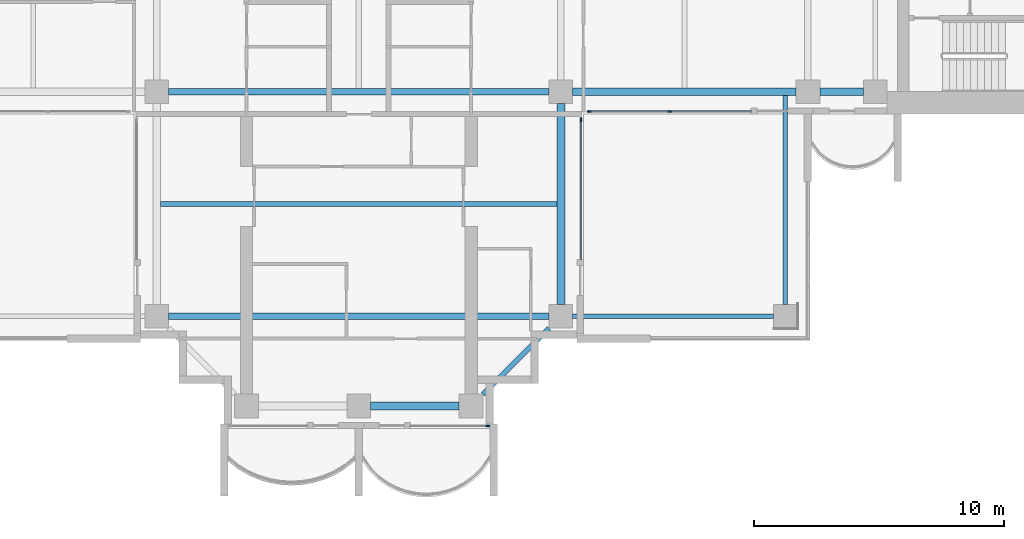
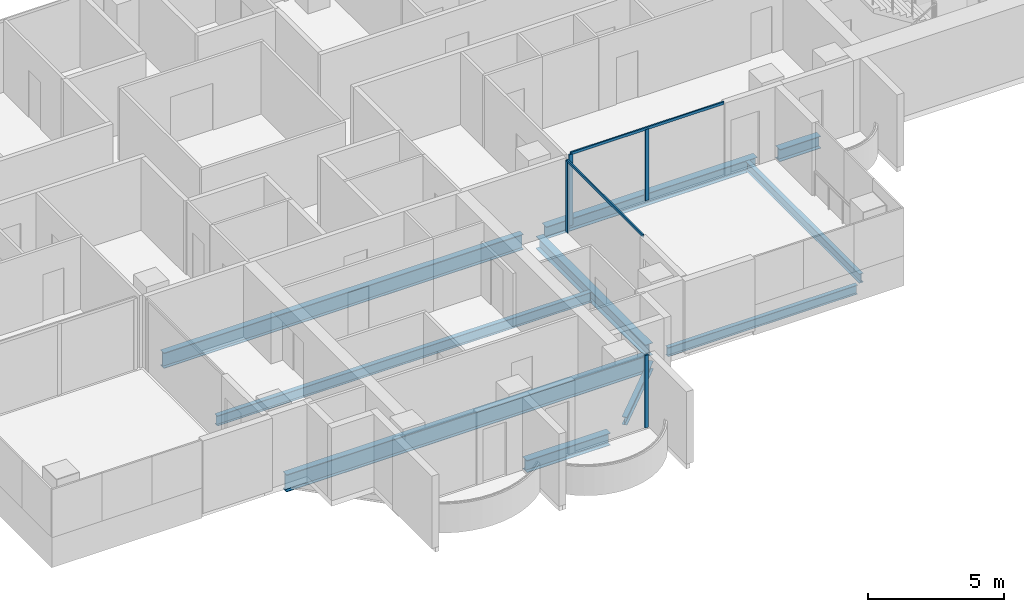
# One storey, part 3 of 17: 10 beams, 6 members, 3 elements without a shape of their own.
"""IFC4 building model written with IfcOpenShell, lengths in metres."""

from ifc_helpers import new_model, si_unit, direction, frame, origin, origin_2d, place, context, subcontext, project, spatial, rectangle, i_section, extrude, material, material_profile, profile_set, type_object, element, aggregate, save


model = new_model("IFC4")

# Units and contexts
model_context = context("Model", 3, precision=1e-05, world=origin(), true_north=direction((0.0, 1.0)))
body_context = subcontext(model_context, "Body", "Model", "MODEL_VIEW")
ifc_project = project(units=[si_unit("LENGTHUNIT", "METRE"), si_unit("AREAUNIT", "SQUARE_METRE"), si_unit("VOLUMEUNIT", "CUBIC_METRE"), si_unit("PLANEANGLEUNIT", "RADIAN"), si_unit("MASSUNIT", "GRAM", prefix="KILO")], contexts=[model_context])

# Site, building, storey
site_placement = place(None, origin())
site = spatial("IfcSite", under=ifc_project, at=site_placement, CompositionType="ELEMENT")
building_placement = place(site_placement, origin())
building = spatial("IfcBuilding", under=site, at=building_placement, Name="Perihelion Cross Residences", CompositionType="ELEMENT")
storey_placement = place(building_placement, frame((0.0, 0.0, 191.10009765625)))
storey = spatial("IfcBuildingStorey", under=building, at=storey_placement, Name="L47", CompositionType="ELEMENT", Elevation=191.10009765625)

# Curtain wall, member
ifc_material_1 = material(Name="Bronze anodised aluminium, tinted glazing", Category="aluminium")
curtain_wall_type = type_object("IfcCurtainWallType", Name="CW1", PredefinedType="NOTDEFINED", material=ifc_material_1)
curtain_wall_1_placement = place(storey_placement, origin())
curtain_wall_1 = element("IfcCurtainWall", 1, at=curtain_wall_1_placement, inside=storey, type_object=curtain_wall_type, Name="Curtain wall CW1 L47 south tip south bay 2", PredefinedType="NOTDEFINED")
ifc_material_2 = material(Name="Bronze anodised aluminium", Category="aluminium")
ifc_material_profile_1 = material_profile(ifc_material_2, rectangle(XDim=0.06005859375, YDim=0.159912109375, at=origin_2d()), Name="CW1 mullion")
ifc_profile_set_1 = profile_set([ifc_material_profile_1], Name="Bronze anodised aluminium")
member_type_1 = type_object("IfcMemberType", Name="CW1 mullion", PredefinedType="MULLION", material=ifc_profile_set_1)
member_1_placement = place(storey_placement, frame((5.169921875, -21.5, 0.0), z_axis=(0.0, 0.0, 1.0), x_axis=(0.0, 1.0, 0.0)))
member_1 = element("IfcMember", 2, at=member_1_placement, type_object=member_type_1, Name="CW1 mullion 2", PredefinedType="MULLION", context=body_context, shape_type="SweptSolid", body=[
    extrude(rectangle(XDim=0.06005859375, YDim=0.159912109375, at=origin_2d()), origin(), (0.0, 0.0, 1.0), 3.25),
])
aggregate(curtain_wall_1, [member_1])

curtain_wall_2_placement = place(storey_placement, origin())
curtain_wall_2 = element("IfcCurtainWall", 3, at=curtain_wall_2_placement, inside=storey, type_object=curtain_wall_type, Name="Curtain wall CW1 L47 south side east bay 1", PredefinedType="NOTDEFINED")
member_2_placement = place(storey_placement, frame((8.89990234375, -9.22998046875, 0.0), z_axis=(0.0, 0.0, 1.0), x_axis=(-1.0, 0.0, 0.0)))
member_2 = element("IfcMember", 4, at=member_2_placement, type_object=member_type_1, Name="CW1 mullion 2", PredefinedType="MULLION", context=body_context, shape_type="SweptSolid", body=[
    extrude(rectangle(XDim=0.06005859375, YDim=0.159912109375, at=origin_2d()), origin(), (0.0, 0.0, 1.0), 3.18994140625),
])

# Curtain wall, members
curtain_wall_3_placement = place(storey_placement, origin())
curtain_wall_3 = element("IfcCurtainWall", 5, at=curtain_wall_3_placement, inside=storey, type_object=curtain_wall_type, Name="Curtain wall CW1 L47 east side south bay 1", PredefinedType="NOTDEFINED")
member_3_placement = place(storey_placement, frame((9.22998046875, -8.89990234375, 0.0), z_axis=(0.0, 0.0, 1.0), x_axis=(0.0, 1.0, 0.0)))
member_3 = element("IfcMember", 6, at=member_3_placement, type_object=member_type_1, Name="CW1 mullion 1", PredefinedType="MULLION", context=body_context, shape_type="SweptSolid", body=[
    extrude(rectangle(XDim=0.06005859375, YDim=0.159912109375, at=origin_2d()), origin(), (0.0, 0.0, 1.0), 3.18994140625),
])
member_4_placement = place(storey_placement, frame((12.46240234375, -8.89990234375, 0.0), z_axis=(0.0, 0.0, 1.0), x_axis=(0.0, 1.0, 0.0)))
member_4 = element("IfcMember", 7, at=member_4_placement, type_object=member_type_1, Name="CW1 mullion 2", PredefinedType="MULLION", context=body_context, shape_type="SweptSolid", body=[
    extrude(rectangle(XDim=0.06005859375, YDim=0.159912109375, at=origin_2d()), origin(), (0.0, 0.0, 1.0), 3.18994140625),
])

# Member
ifc_material_3 = material(Name="Bronze anodised aluminium", Category="aluminium")
ifc_material_profile_2 = material_profile(ifc_material_3, rectangle(XDim=0.06005859375, YDim=0.1201171875, at=origin_2d()), Name="CW1 transom")
ifc_profile_set_2 = profile_set([ifc_material_profile_2], Name="Bronze anodised aluminium")
member_type_2 = type_object("IfcMemberType", Name="CW1 transom", PredefinedType="USERDEFINED", material=ifc_profile_set_2)
member_5_placement = place(storey_placement, frame((8.89990234375, -14.824951171875, 3.219970703125), z_axis=(0.0, 1.0, 0.0), x_axis=(-1.0, 0.0, 0.0)))
member_5 = element("IfcMember", 8, at=member_5_placement, type_object=member_type_2, Name="CW1 head transom", ObjectType="TRANSOM", PredefinedType="USERDEFINED", context=body_context, shape_type="SweptSolid", body=[
    extrude(rectangle(XDim=0.06005859375, YDim=0.1201171875, at=origin_2d()), origin(), (0.0, 0.0, 1.0), 5.594970703125),
])

aggregate(curtain_wall_2, [member_2, member_5])

member_6_placement = place(storey_placement, frame((9.22998046875, -8.89990234375, 3.219970703125), z_axis=(1.0, 0.0, 0.0), x_axis=(0.0, 1.0, 0.0)))
member_6 = element("IfcMember", 9, at=member_6_placement, type_object=member_type_2, Name="CW1 head transom", ObjectType="TRANSOM", PredefinedType="USERDEFINED", context=body_context, shape_type="SweptSolid", body=[
    extrude(rectangle(XDim=0.06005859375, YDim=0.1201171875, at=origin_2d()), origin(), (0.0, 0.0, 1.0), 6.4951171875),
])

aggregate(curtain_wall_3, [member_3, member_4, member_6])

# Beams
ifc_material_4 = material(Name="Steel S355", Category="steel")
ifc_material_profile_3 = material_profile(ifc_material_4, i_section(OverallWidth=0.177978515625, OverallDepth=0.406005859375, WebThickness=0.0078125, FlangeThickness=0.0126953125, at=origin_2d()), Name="W410x60")
ifc_profile_set_3 = profile_set([ifc_material_profile_3], Name="Steel S355")
beam_type_1 = type_object("IfcBeamType", Name="Core edge beam W410x60", PredefinedType="BEAM", material=ifc_profile_set_3)
beam_1_placement = place(storey_placement, frame((17.10009765625, -8.256103515625, -0.453125), z_axis=(0.0, -1.0, 0.0), x_axis=(1.0, 0.0, 0.0)))
element("IfcBeam", 10, at=beam_1_placement, inside=storey, type_object=beam_type_1, Name="Core edge beam TB2 L47 corner no. 3", PredefinedType="BEAM", context=body_context, shape_type="SweptSolid", body=[
    extrude(i_section(OverallWidth=0.177978515625, OverallDepth=0.406005859375, WebThickness=0.0078125, FlangeThickness=0.0126953125, at=origin_2d()), origin(), (0.0, 0.0, 1.0), 8.368896484375),
])
beam_2_placement = place(storey_placement, frame((8.574951171875, -17.10009765625, -0.453125), z_axis=(1.0, 0.0, 0.0), x_axis=(0.0, 1.0, 0.0)))
element("IfcBeam", 11, at=beam_2_placement, inside=storey, type_object=beam_type_1, Name="Core edge beam TB2 L47 corner no. 4", PredefinedType="BEAM", context=body_context, shape_type="SweptSolid", body=[
    extrude(i_section(OverallWidth=0.177978515625, OverallDepth=0.406005859375, WebThickness=0.0078125, FlangeThickness=0.0126953125, at=origin_2d()), origin(), (0.0, 0.0, 1.0), 8.050048828125),
])
ifc_material_5 = material(Name="Steel S355", Category="steel")
ifc_material_profile_4 = material_profile(ifc_material_5, i_section(OverallWidth=0.31201171875, OverallDepth=0.5439453125, WebThickness=0.0126953125, FlangeThickness=0.020263671875, at=origin_2d()), Name="W530x150")
ifc_profile_set_4 = profile_set([ifc_material_profile_4], Name="Steel S355")
beam_type_2 = type_object("IfcBeamType", Name="Edge beam W530x150", PredefinedType="SPANDREL", material=ifc_profile_set_4)
beam_3_placement = place(storey_placement, frame((0.47509765625, -20.699951171875, -0.522216796875), z_axis=(1.0, 0.0, 0.0), x_axis=(0.0, 1.0, 0.0)))
element("IfcBeam", 12, at=beam_3_placement, inside=storey, type_object=beam_type_2, Name="Edge beam SB4 L47 no. 7", PredefinedType="SPANDREL", context=body_context, shape_type="SweptSolid", body=[
    extrude(i_section(OverallWidth=0.31201171875, OverallDepth=0.5439453125, WebThickness=0.0126953125, FlangeThickness=0.020263671875, at=origin_2d()), origin(), (0.0, 0.0, 1.0), 3.5498046875),
])
beam_4_placement = place(storey_placement, frame((8.10009765625, -16.625, -0.522216796875), z_axis=(0.0, 1.0, 0.0), x_axis=(-1.0, 0.0, 0.0)))
element("IfcBeam", 13, at=beam_4_placement, inside=storey, type_object=beam_type_2, Name="Edge beam SB4 L47 no. 11", PredefinedType="SPANDREL", context=body_context, shape_type="SweptSolid", body=[
    extrude(i_section(OverallWidth=0.31201171875, OverallDepth=0.5439453125, WebThickness=0.0126953125, FlangeThickness=0.020263671875, at=origin_2d()), origin(), (0.0, 0.0, 1.0), 8.050048828125),
])
beam_5_placement = place(storey_placement, frame((8.574951171875, -8.10009765625, -0.522216796875), z_axis=(1.0, 0.0, 0.0), x_axis=(0.0, 1.0, 0.0)))
element("IfcBeam", 14, at=beam_5_placement, inside=storey, type_object=beam_type_2, Name="Edge beam SB4 L47 no. 12", PredefinedType="SPANDREL", context=body_context, shape_type="SweptSolid", body=[
    extrude(i_section(OverallWidth=0.31201171875, OverallDepth=0.5439453125, WebThickness=0.0126953125, FlangeThickness=0.020263671875, at=origin_2d()), origin(), (0.0, 0.0, 1.0), 8.949951171875),
])
beam_6_placement = place(storey_placement, frame((18.47509765625, -8.10009765625, -0.522216796875), z_axis=(1.0, 0.0, 0.0), x_axis=(0.0, 1.0, 0.0)))
element("IfcBeam", 15, at=beam_6_placement, inside=storey, type_object=beam_type_2, Name="Edge beam SB4 L47 no. 8", PredefinedType="SPANDREL", context=body_context, shape_type="SweptSolid", body=[
    extrude(i_section(OverallWidth=0.31201171875, OverallDepth=0.5439453125, WebThickness=0.0126953125, FlangeThickness=0.020263671875, at=origin_2d()), origin(), (0.0, 0.0, 1.0), 1.75),
])
ifc_material_6 = material(Name="Steel S355", Category="steel")
ifc_material_profile_5 = material_profile(ifc_material_6, i_section(OverallWidth=0.26708984375, OverallDepth=0.77001953125, WebThickness=0.015625, FlangeThickness=0.025390625, at=origin_2d()), Name="W760x196")
ifc_profile_set_5 = profile_set([ifc_material_profile_5], Name="Steel S355")
beam_type_3 = type_object("IfcBeamType", Name="Floor girder W760x196", PredefinedType="BEAM", material=ifc_profile_set_5)
beam_7_placement = place(storey_placement, frame((-7.625, -17.10009765625, -0.635009765625), z_axis=(1.0, 0.0, 0.0), x_axis=(0.0, 1.0, 0.0)))
element("IfcBeam", 16, at=beam_7_placement, inside=storey, type_object=beam_type_3, Name="Girder G4 L47 no. 3", PredefinedType="BEAM", context=body_context, shape_type="SweptSolid", body=[
    extrude(i_section(OverallWidth=0.26708984375, OverallDepth=0.77001953125, WebThickness=0.015625, FlangeThickness=0.025390625, at=origin_2d()), origin(), (0.0, 0.0, 1.0), 15.25),
])
ifc_material_7 = material(Name="Steel S355", Category="steel")
ifc_material_profile_6 = material_profile(ifc_material_7, i_section(OverallWidth=0.19091796875, OverallDepth=0.45703125, WebThickness=0.009033203125, FlangeThickness=0.014404296875, at=origin_2d()), Name="W460x74")
ifc_profile_set_6 = profile_set([ifc_material_profile_6], Name="Steel S355")
beam_type_4 = type_object("IfcBeamType", Name="Floor joist W460x74", PredefinedType="JOIST", material=ifc_profile_set_6)
beam_8_placement = place(storey_placement, frame((-7.944091796875, -12.60009765625, -0.478515625), z_axis=(1.0, 0.0, 0.0), x_axis=(0.0, 1.0, 0.0)))
element("IfcBeam", 17, at=beam_8_placement, inside=storey, type_object=beam_type_4, Name="Joist J5 L47 no. 3", PredefinedType="JOIST", context=body_context, shape_type="SweptSolid", body=[
    extrude(i_section(OverallWidth=0.19091796875, OverallDepth=0.45703125, WebThickness=0.009033203125, FlangeThickness=0.014404296875, at=origin_2d()), origin(), (0.0, 0.0, 1.0), 15.88818359375),
])
ifc_material_8 = material(Name="Steel S355", Category="steel")
ifc_material_profile_7 = material_profile(ifc_material_8, i_section(OverallWidth=0.257080078125, OverallDepth=0.693115234375, WebThickness=0.014404296875, FlangeThickness=0.023681640625, at=origin_2d()), Name="W690x170")
ifc_profile_set_7 = profile_set([ifc_material_profile_7], Name="Steel S355")
beam_type_5 = type_object("IfcBeamType", Name="Hub ring girder W690x170", PredefinedType="BEAM", material=ifc_profile_set_7)
beam_9_placement = place(storey_placement, frame((-7.625, -8.10009765625, -0.5966796875), z_axis=(1.0, 0.0, 0.0), x_axis=(0.0, 1.0, 0.0)))
element("IfcBeam", 18, at=beam_9_placement, inside=storey, type_object=beam_type_5, Name="Hub ring girder RG4 L47 no. 1", PredefinedType="BEAM", context=body_context, shape_type="SweptSolid", body=[
    extrude(i_section(OverallWidth=0.257080078125, OverallDepth=0.693115234375, WebThickness=0.014404296875, FlangeThickness=0.023681640625, at=origin_2d()), origin(), (0.0, 0.0, 1.0), 15.25),
])
ifc_material_9 = material(Name="Steel S355", Category="steel")
ifc_material_profile_8 = material_profile(ifc_material_9, i_section(OverallWidth=0.205078125, OverallDepth=0.35302734375, WebThickness=0.009521484375, FlangeThickness=0.016845703125, at=origin_2d()), Name="W360x79")
ifc_profile_set_8 = profile_set([ifc_material_profile_8], Name="Steel S355")
beam_type_6 = type_object("IfcBeamType", Name="Serration edge beam W360x79", PredefinedType="BEAM", material=ifc_profile_set_8)
beam_10_placement = place(storey_placement, frame((4.97509765625, -20.22509765625, -0.426513671875), z_axis=(0.70707420838, 0.707139352493, 0.0), x_axis=(-0.707139352493, 0.70707420838, 0.0)))
element("IfcBeam", 19, at=beam_10_placement, inside=storey, type_object=beam_type_6, Name="Serration edge beam EB4 L47 no. 2", PredefinedType="BEAM", context=body_context, shape_type="SweptSolid", body=[
    extrude(i_section(OverallWidth=0.205078125, OverallDepth=0.35302734375, WebThickness=0.009521484375, FlangeThickness=0.016845703125, at=origin_2d()), origin(), (0.0, 0.0, 1.0), 3.747802734375),
])

save(model, "model.ifc")
